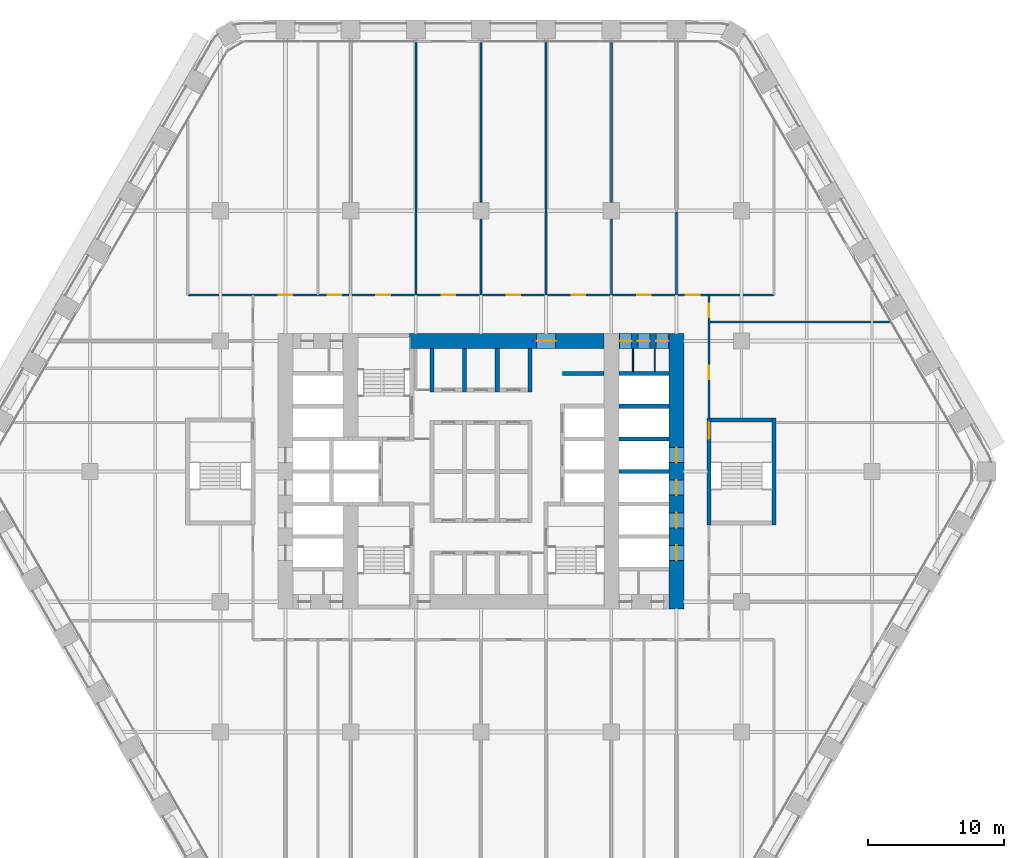
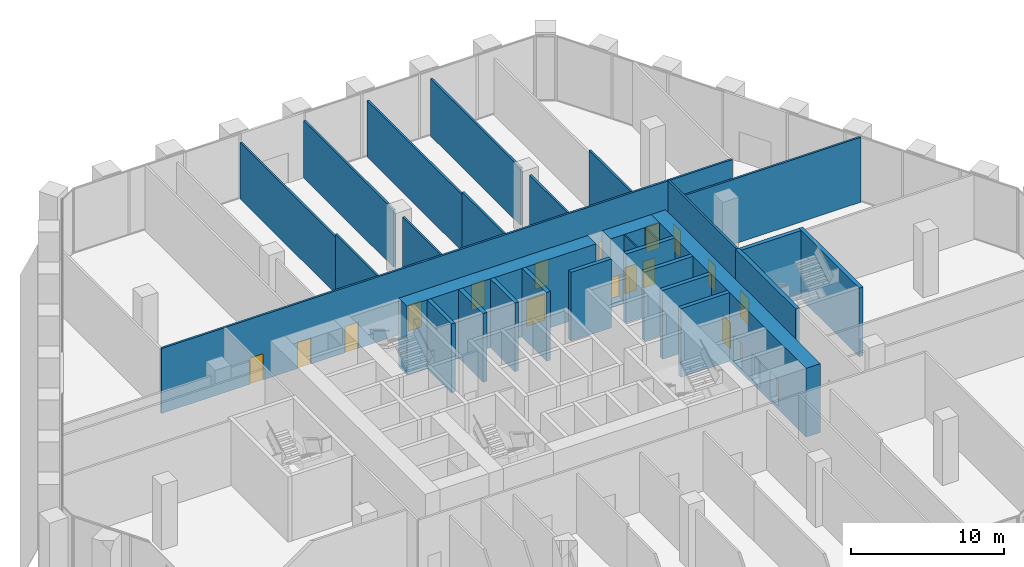
# One storey, part 21 of 27: 29 walls, 19 doors, 19 openings.
"""IFC4 building model written with IfcOpenShell, lengths in metres."""

from ifc_helpers import new_model, si_unit, direction, frame, frame_2d, origin, place, context, subcontext, project, spatial, rectangle, extrude, material, layer, layer_set, type_object, element, fill, save


model = new_model("IFC4")

# Units and contexts
model_context = context("Model", 3, precision=1e-05, world=origin(), true_north=direction((0.0, 1.0)))
body_context = subcontext(model_context, "Body", "Model", "MODEL_VIEW")
ifc_project = project(units=[si_unit("LENGTHUNIT", "METRE"), si_unit("AREAUNIT", "SQUARE_METRE"), si_unit("VOLUMEUNIT", "CUBIC_METRE"), si_unit("PLANEANGLEUNIT", "RADIAN"), si_unit("MASSUNIT", "GRAM", prefix="KILO")], contexts=[model_context])

# Site, building, storey
site_placement = place(None, origin())
site = spatial("IfcSite", under=ifc_project, at=site_placement, CompositionType="ELEMENT")
building_placement = place(site_placement, origin())
building = spatial("IfcBuilding", under=site, at=building_placement, Name="Kolab Exchange Tower", CompositionType="ELEMENT")
storey_placement = place(building_placement, frame((0.0, 0.0, 66.39990234375)))
storey = spatial("IfcBuildingStorey", under=building, at=storey_placement, Name="L12", CompositionType="ELEMENT", Elevation=66.39990234375)

# Wall, opening, door
ifc_material_1 = material(Name="Concrete C80/95", Category="concrete")
ifc_layer_1 = layer(ifc_material_1, 1.10009765625)
ifc_layer_set_1 = layer_set([ifc_layer_1], Name="Concrete C80/95")
wall_type_1 = type_object("IfcWallType", Name="CORE WALL 1100 C80/95", PredefinedType="SHEAR", material=ifc_layer_set_1)
wall_1_placement = place(storey_placement, frame((-5.25, 9.60009765625, -0.2998046875), z_axis=(0.0, 0.0, 1.0), x_axis=(1.0, 0.0, 0.0)))
wall_1 = element("IfcWall", 1, at=wall_1_placement, inside=storey, type_object=wall_type_1, Name="wall/L12/core/052", PredefinedType="SHEAR", context=body_context, shape_type="SweptSolid", body=[
    extrude(rectangle(XDim=14.300048828125, YDim=1.10009765625, at=frame_2d((7.14990234375, 0.0))), origin(), (0.0, 0.0, 1.0), 5.5),
])
opening_1_placement = place(wall_1_placement, frame((9.35009765625, 0.0, 0.300048828125)))
opening_1 = element("IfcOpeningElement", 2, at=opening_1_placement, cuts=wall_1, Name="Opening D5-006", PredefinedType="OPENING", context=body_context, shape_type="SweptSolid", body=[
    extrude(rectangle(XDim=1.39990234375, YDim=2.10009765625, at=frame_2d((0.699951171875, 1.050048828125))), frame((0.0, 0.56005859375, 0.0), z_axis=(0.0, -1.0, 0.0), x_axis=(1.0, 0.0, 0.0)), (0.0, 0.0, 1.0), 1.1201171875),
])
ifc_material_2 = material(Name="Steel S235", Category="steel")
door_type_1 = type_object("IfcDoorType", Name="CORE DOOR 1400 EI 120", OperationType="DOUBLE_DOOR_SINGLE_SWING", PredefinedType="DOOR", material=ifc_material_2)
door_1_placement = place(opening_1_placement, frame((1.39990234375, 0.0, 0.0), z_axis=(0.0, 0.0, 1.0), x_axis=(-1.0, 0.0, 0.0)))
door_1 = element("IfcDoor", 3, at=door_1_placement, inside=storey, type_object=door_type_1, Name="Core lobby door", OperationType="SINGLE_SWING_LEFT", OverallHeight=2.10009765625, OverallWidth=1.39990234375, PredefinedType="DOOR", context=body_context, shape_type="SweptSolid", body=[
    extrude(rectangle(XDim=1.39990234375, YDim=2.10009765625, at=frame_2d((0.699951171875, 1.050048828125))), frame((0.0, 0.02490234375, 0.0), z_axis=(0.0, -1.0, 0.0), x_axis=(1.0, 0.0, 0.0)), (0.0, 0.0, 1.0), 0.050048828125),
])
fill(opening_1, door_1)

# Wall, openings, doors
wall_2_placement = place(storey_placement, frame((10.14990234375, 9.60009765625, -0.2998046875), z_axis=(0.0, 0.0, 1.0), x_axis=(1.0, 0.0, 0.0)))
wall_2 = element("IfcWall", 4, at=wall_2_placement, inside=storey, type_object=wall_type_1, Name="wall/L12/core/053", PredefinedType="SHEAR", context=body_context, shape_type="SweptSolid", body=[
    extrude(rectangle(XDim=3.7001953125, YDim=1.10009765625, at=frame_2d((1.85009765625, 0.0))), origin(), (0.0, 0.0, 1.0), 5.5),
])
opening_2_placement = place(wall_2_placement, frame((0.050048828125, 0.0, 0.300048828125)))
opening_2 = element("IfcOpeningElement", 5, at=opening_2_placement, cuts=wall_2, Name="Opening D6-165", PredefinedType="OPENING", context=body_context, shape_type="SweptSolid", body=[
    extrude(rectangle(XDim=0.89990234375, YDim=2.10009765625, at=frame_2d((0.449951171875, 1.050048828125))), frame((0.0, 0.56005859375, 0.0), z_axis=(0.0, -1.0, 0.0), x_axis=(1.0, 0.0, 0.0)), (0.0, 0.0, 1.0), 1.1201171875),
])
opening_3_placement = place(wall_2_placement, frame((1.39990234375, 0.0, 0.300048828125)))
opening_3 = element("IfcOpeningElement", 6, at=opening_3_placement, cuts=wall_2, Name="Opening D6-166", PredefinedType="OPENING", context=body_context, shape_type="SweptSolid", body=[
    extrude(rectangle(XDim=0.89990234375, YDim=2.10009765625, at=frame_2d((0.449951171875, 1.050048828125))), frame((0.0, 0.56005859375, 0.0), z_axis=(0.0, -1.0, 0.0), x_axis=(1.0, 0.0, 0.0)), (0.0, 0.0, 1.0), 1.1201171875),
])
opening_4_placement = place(wall_2_placement, frame((2.75, 0.0, 0.300048828125)))
opening_4 = element("IfcOpeningElement", 7, at=opening_4_placement, cuts=wall_2, Name="Opening D6-167", PredefinedType="OPENING", context=body_context, shape_type="SweptSolid", body=[
    extrude(rectangle(XDim=0.89990234375, YDim=2.10009765625, at=frame_2d((0.449951171875, 1.050048828125))), frame((0.0, 0.56005859375, 0.0), z_axis=(0.0, -1.0, 0.0), x_axis=(1.0, 0.0, 0.0)), (0.0, 0.0, 1.0), 1.1201171875),
])
door_type_2 = type_object("IfcDoorType", Name="CORE DOOR 900 EI 120", OperationType="SINGLE_SWING_LEFT", PredefinedType="DOOR", material=ifc_material_2)
door_2_placement = place(opening_2_placement, frame((0.89990234375, 0.0, 0.0), z_axis=(0.0, 0.0, 1.0), x_axis=(-1.0, 0.0, 0.0)))
door_2 = element("IfcDoor", 8, at=door_2_placement, inside=storey, type_object=door_type_2, Name="Service room door", OperationType="SINGLE_SWING_RIGHT", OverallHeight=2.10009765625, OverallWidth=0.89990234375, PredefinedType="DOOR", context=body_context, shape_type="SweptSolid", body=[
    extrude(rectangle(XDim=0.89990234375, YDim=2.10009765625, at=frame_2d((0.449951171875, 1.050048828125))), frame((0.0, 0.02490234375, 0.0), z_axis=(0.0, -1.0, 0.0), x_axis=(1.0, 0.0, 0.0)), (0.0, 0.0, 1.0), 0.050048828125),
])
fill(opening_2, door_2)
door_3_placement = place(opening_3_placement, frame((0.89990234375, 0.0, 0.0), z_axis=(0.0, 0.0, 1.0), x_axis=(-1.0, 0.0, 0.0)))
door_3 = element("IfcDoor", 9, at=door_3_placement, inside=storey, type_object=door_type_2, Name="Service room door", OperationType="SINGLE_SWING_LEFT", OverallHeight=2.10009765625, OverallWidth=0.89990234375, PredefinedType="DOOR", context=body_context, shape_type="SweptSolid", body=[
    extrude(rectangle(XDim=0.89990234375, YDim=2.10009765625, at=frame_2d((0.449951171875, 1.050048828125))), frame((0.0, 0.02490234375, 0.0), z_axis=(0.0, -1.0, 0.0), x_axis=(1.0, 0.0, 0.0)), (0.0, 0.0, 1.0), 0.050048828125),
])
fill(opening_3, door_3)
door_4_placement = place(opening_4_placement, frame((0.89990234375, 0.0, 0.0), z_axis=(0.0, 0.0, 1.0), x_axis=(-1.0, 0.0, 0.0)))
door_4 = element("IfcDoor", 10, at=door_4_placement, inside=storey, type_object=door_type_2, Name="Service room door", OperationType="SINGLE_SWING_LEFT", OverallHeight=2.10009765625, OverallWidth=0.89990234375, PredefinedType="DOOR", context=body_context, shape_type="SweptSolid", body=[
    extrude(rectangle(XDim=0.89990234375, YDim=2.10009765625, at=frame_2d((0.449951171875, 1.050048828125))), frame((0.0, 0.02490234375, 0.0), z_axis=(0.0, -1.0, 0.0), x_axis=(1.0, 0.0, 0.0)), (0.0, 0.0, 1.0), 0.050048828125),
])
fill(opening_4, door_4)

wall_3_placement = place(storey_placement, frame((14.39990234375, -10.14990234375, -0.2998046875), z_axis=(0.0, 0.0, 1.0), x_axis=(0.0, 1.0, 0.0)))
wall_3 = element("IfcWall", 11, at=wall_3_placement, inside=storey, type_object=wall_type_1, Name="wall/L12/core/081", PredefinedType="SHEAR", context=body_context, shape_type="SweptSolid", body=[
    extrude(rectangle(XDim=20.2998046875, YDim=1.10009765625, at=frame_2d((10.14990234375, 0.0))), origin(), (0.0, 0.0, 1.0), 5.5),
])
opening_5_placement = place(wall_3_placement, frame((3.60009765625, 0.0, 0.300048828125)))
opening_5 = element("IfcOpeningElement", 12, at=opening_5_placement, cuts=wall_3, Name="Opening LD1-053", PredefinedType="OPENING", context=body_context, shape_type="SweptSolid", body=[
    extrude(rectangle(XDim=1.10009765625, YDim=2.10009765625, at=frame_2d((0.550048828125, 1.050048828125))), frame((0.0, 0.56005859375, 0.0), z_axis=(0.0, -1.0, 0.0), x_axis=(1.0, 0.0, 0.0)), (0.0, 0.0, 1.0), 1.1201171875),
])
opening_6_placement = place(wall_3_placement, frame((6.0, 0.0, 0.300048828125)))
opening_6 = element("IfcOpeningElement", 13, at=opening_6_placement, cuts=wall_3, Name="Opening LD1-054", PredefinedType="OPENING", context=body_context, shape_type="SweptSolid", body=[
    extrude(rectangle(XDim=1.10009765625, YDim=2.10009765625, at=frame_2d((0.550048828125, 1.050048828125))), frame((0.0, 0.56005859375, 0.0), z_axis=(0.0, -1.0, 0.0), x_axis=(1.0, 0.0, 0.0)), (0.0, 0.0, 1.0), 1.1201171875),
])
opening_7_placement = place(wall_3_placement, frame((8.39990234375, 0.0, 0.300048828125)))
opening_7 = element("IfcOpeningElement", 14, at=opening_7_placement, cuts=wall_3, Name="Opening LD1-055", PredefinedType="OPENING", context=body_context, shape_type="SweptSolid", body=[
    extrude(rectangle(XDim=1.10009765625, YDim=2.10009765625, at=frame_2d((0.550048828125, 1.050048828125))), frame((0.0, 0.56005859375, 0.0), z_axis=(0.0, -1.0, 0.0), x_axis=(1.0, 0.0, 0.0)), (0.0, 0.0, 1.0), 1.1201171875),
])
opening_8_placement = place(wall_3_placement, frame((10.800048828125, 0.0, 0.300048828125)))
opening_8 = element("IfcOpeningElement", 15, at=opening_8_placement, cuts=wall_3, Name="Opening LD1-056", PredefinedType="OPENING", context=body_context, shape_type="SweptSolid", body=[
    extrude(rectangle(XDim=1.10009765625, YDim=2.10009765625, at=frame_2d((0.550048828125, 1.050048828125))), frame((0.0, 0.56005859375, 0.0), z_axis=(0.0, -1.0, 0.0), x_axis=(1.0, 0.0, 0.0)), (0.0, 0.0, 1.0), 1.1201171875),
])
ifc_material_3 = material(Name="Stainless steel 316", Category="steel")
door_type_3 = type_object("IfcDoorType", Name="LANDING DOOR 1100 PASSENGER", OperationType="DOUBLE_DOOR_SLIDING", PredefinedType="DOOR", material=ifc_material_3)
door_5_placement = place(opening_5_placement, origin())
door_5 = element("IfcDoor", 16, at=door_5_placement, inside=storey, type_object=door_type_3, Name="Landing door LR1", OperationType="DOUBLE_DOOR_SLIDING", OverallHeight=2.10009765625, OverallWidth=1.10009765625, PredefinedType="DOOR", context=body_context, shape_type="SweptSolid", body=[
    extrude(rectangle(XDim=1.10009765625, YDim=2.10009765625, at=frame_2d((0.550048828125, 1.050048828125))), frame((0.0, 0.02490234375, 0.0), z_axis=(0.0, -1.0, 0.0), x_axis=(1.0, 0.0, 0.0)), (0.0, 0.0, 1.0), 0.050048828125),
])
fill(opening_5, door_5)
door_6_placement = place(opening_6_placement, origin())
door_6 = element("IfcDoor", 17, at=door_6_placement, inside=storey, type_object=door_type_3, Name="Landing door LR2", OperationType="DOUBLE_DOOR_SLIDING", OverallHeight=2.10009765625, OverallWidth=1.10009765625, PredefinedType="DOOR", context=body_context, shape_type="SweptSolid", body=[
    extrude(rectangle(XDim=1.10009765625, YDim=2.10009765625, at=frame_2d((0.550048828125, 1.050048828125))), frame((0.0, 0.02490234375, 0.0), z_axis=(0.0, -1.0, 0.0), x_axis=(1.0, 0.0, 0.0)), (0.0, 0.0, 1.0), 0.050048828125),
])
fill(opening_6, door_6)
door_7_placement = place(opening_7_placement, origin())
door_7 = element("IfcDoor", 18, at=door_7_placement, inside=storey, type_object=door_type_3, Name="Landing door LR3", OperationType="DOUBLE_DOOR_SLIDING", OverallHeight=2.10009765625, OverallWidth=1.10009765625, PredefinedType="DOOR", context=body_context, shape_type="SweptSolid", body=[
    extrude(rectangle(XDim=1.10009765625, YDim=2.10009765625, at=frame_2d((0.550048828125, 1.050048828125))), frame((0.0, 0.02490234375, 0.0), z_axis=(0.0, -1.0, 0.0), x_axis=(1.0, 0.0, 0.0)), (0.0, 0.0, 1.0), 0.050048828125),
])
fill(opening_7, door_7)
door_8_placement = place(opening_8_placement, origin())
door_8 = element("IfcDoor", 19, at=door_8_placement, inside=storey, type_object=door_type_3, Name="Landing door LR4", OperationType="DOUBLE_DOOR_SLIDING", OverallHeight=2.10009765625, OverallWidth=1.10009765625, PredefinedType="DOOR", context=body_context, shape_type="SweptSolid", body=[
    extrude(rectangle(XDim=1.10009765625, YDim=2.10009765625, at=frame_2d((0.550048828125, 1.050048828125))), frame((0.0, 0.02490234375, 0.0), z_axis=(0.0, -1.0, 0.0), x_axis=(1.0, 0.0, 0.0)), (0.0, 0.0, 1.0), 0.050048828125),
])
fill(opening_8, door_8)

# Walls
ifc_material_4 = material(Name="Concrete C50/60", Category="concrete")
ifc_layer_2 = layer(ifc_material_4, 0.300048828125)
ifc_layer_set_2 = layer_set([ifc_layer_2], Name="Concrete C50/60")
wall_type_2 = type_object("IfcWallType", Name="LIFT SHAFT WALL 300 C50/60", PredefinedType="STANDARD", material=ifc_layer_set_2)
for number, where, z_axis, x_axis, name in (
    (20, (10.14990234375, 0.0, -0.2998046875), (0.0, 0.0, 1.0), (1.0, 0.0, 0.0), "wall/L12/core/030"),
    (21, (10.14990234375, 2.39990234375, -0.2998046875), (0.0, 0.0, 1.0), (1.0, 0.0, 0.0), "wall/L12/core/036"),
    (22, (10.14990234375, 4.800048828125, -0.2998046875), (0.0, 0.0, 1.0), (1.0, 0.0, 0.0), "wall/L12/core/044"),
):
    element("IfcWall", number, at=place(storey_placement, frame(where, z_axis=z_axis, x_axis=x_axis)), inside=storey, type_object=wall_type_2, Name=name, PredefinedType="STANDARD", context=body_context, shape_type="SweptSolid", body=[
        extrude(rectangle(XDim=3.7001953125, YDim=0.300048828125, at=frame_2d((1.85009765625, 0.0))), origin(), (0.0, 0.0, 1.0), 5.5),
    ])
wall_4_placement = place(storey_placement, frame((6.0, 7.199951171875, -0.2998046875), z_axis=(0.0, 0.0, 1.0), x_axis=(1.0, 0.0, 0.0)))
element("IfcWall", 23, at=wall_4_placement, inside=storey, type_object=wall_type_2, Name="wall/L12/core/049", PredefinedType="STANDARD", context=body_context, shape_type="SweptSolid", body=[
    extrude(rectangle(XDim=3.050048828125, YDim=0.300048828125, at=frame_2d((1.52490234375, 0.0))), origin(), (0.0, 0.0, 1.0), 5.5),
])
wall_5_placement = place(storey_placement, frame((10.14990234375, 7.199951171875, -0.2998046875), z_axis=(0.0, 0.0, 1.0), x_axis=(1.0, 0.0, 0.0)))
element("IfcWall", 24, at=wall_5_placement, inside=storey, type_object=wall_type_2, Name="wall/L12/core/050", PredefinedType="STANDARD", context=body_context, shape_type="SweptSolid", body=[
    extrude(rectangle(XDim=3.7001953125, YDim=0.300048828125, at=frame_2d((1.85009765625, 0.0))), origin(), (0.0, 0.0, 1.0), 5.5),
])
for number, where, z_axis, x_axis, name in (
    (25, (-3.60009765625, 5.85009765625, -0.2998046875), (0.0, 0.0, 1.0), (0.0, 1.0, 0.0), "wall/L12/core/068"),
    (26, (-1.199951171875, 5.85009765625, -0.2998046875), (0.0, 0.0, 1.0), (0.0, 1.0, 0.0), "wall/L12/core/071"),
    (27, (1.199951171875, 5.85009765625, -0.2998046875), (0.0, 0.0, 1.0), (0.0, 1.0, 0.0), "wall/L12/core/074"),
    (28, (3.60009765625, 5.85009765625, -0.2998046875), (0.0, 0.0, 1.0), (0.0, 1.0, 0.0), "wall/L12/core/077"),
):
    element("IfcWall", number, at=place(storey_placement, frame(where, z_axis=z_axis, x_axis=x_axis)), inside=storey, type_object=wall_type_2, Name=name, PredefinedType="STANDARD", context=body_context, shape_type="SweptSolid", body=[
        extrude(rectangle(XDim=3.199951171875, YDim=0.300048828125, at=frame_2d((1.60009765625, 0.0))), origin(), (0.0, 0.0, 1.0), 5.5),
    ])
ifc_material_5 = material(Name="Gypsum board", Category="gypsum")
ifc_layer_3 = layer(ifc_material_5, 0.10009765625)
ifc_layer_set_3 = layer_set([ifc_layer_3], Name="Gypsum board")
wall_type_3 = type_object("IfcWallType", Name="PARTITION 100", PredefinedType="PARTITIONING", material=ifc_layer_set_3)
for number, where, z_axis, x_axis, name in (
    (29, (12.800048828125, 7.35009765625, 0.0), (0.0, 0.0, 1.0), (0.0, 1.0, 0.0), "Partition 006"),
    (30, (11.199951171875, 7.35009765625, 0.0), (0.0, 0.0, 1.0), (0.0, 1.0, 0.0), "Partition 009"),
):
    element("IfcWall", number, at=place(storey_placement, frame(where, z_axis=z_axis, x_axis=x_axis)), inside=storey, type_object=wall_type_3, Name=name, PredefinedType="PARTITIONING", context=body_context, shape_type="SweptSolid", body=[
        extrude(rectangle(XDim=1.699951171875, YDim=0.10009765625, at=frame_2d((0.85009765625, 0.0))), origin(), (0.0, 0.0, 1.0), 5.2001953125),
    ])

# Wall, openings, doors
ifc_layer_4 = layer(ifc_material_5, 0.14990234375)
ifc_layer_set_4 = layer_set([ifc_layer_4], Name="Gypsum board")
wall_type_4 = type_object("IfcWallType", Name="PARTITION 150 FIRE-RATED", PredefinedType="PARTITIONING", material=ifc_layer_set_4)
wall_6_placement = place(storey_placement, frame((16.800048828125, 3.949951171875, 0.0), z_axis=(0.0, 0.0, 1.0), x_axis=(0.0, 1.0, 0.0)))
wall_6 = element("IfcWall", 31, at=wall_6_placement, inside=storey, type_object=wall_type_4, Name="Partition 003", PredefinedType="PARTITIONING", context=body_context, shape_type="SweptSolid", body=[
    extrude(rectangle(XDim=9.050048828125, YDim=0.14990234375, at=frame_2d((4.52490234375, 0.0))), origin(), (0.0, 0.0, 1.0), 5.2001953125),
])
opening_9_placement = place(wall_6_placement, frame((2.8349609375, 0.0, 0.0)))
opening_9 = element("IfcOpeningElement", 32, at=opening_9_placement, cuts=wall_6, Name="Opening D1-165", PredefinedType="OPENING", context=body_context, shape_type="SweptSolid", body=[
    extrude(rectangle(XDim=1.0, YDim=2.10009765625, at=frame_2d((0.5, 1.050048828125))), frame((0.0, 0.0849609375, 0.0), z_axis=(0.0, -1.0, 0.0), x_axis=(1.0, 0.0, 0.0)), (0.0, 0.0, 1.0), 0.169921875),
])
opening_10_placement = place(wall_6_placement, frame((7.409912109375, 0.0, 0.0)))
opening_10 = element("IfcOpeningElement", 33, at=opening_10_placement, cuts=wall_6, Name="Opening D1-166", PredefinedType="OPENING", context=body_context, shape_type="SweptSolid", body=[
    extrude(rectangle(XDim=1.0, YDim=2.10009765625, at=frame_2d((0.5, 1.050048828125))), frame((0.0, 0.0849609375, 0.0), z_axis=(0.0, -1.0, 0.0), x_axis=(1.0, 0.0, 0.0)), (0.0, 0.0, 1.0), 0.169921875),
])
door_type_4 = type_object("IfcDoorType", Name="FLUSH DOOR 1000 FD60", OperationType="SINGLE_SWING_LEFT", PredefinedType="DOOR", material=ifc_material_2)
door_9_placement = place(opening_9_placement, frame((1.0, 0.0, 0.0), z_axis=(0.0, 0.0, 1.0), x_axis=(-1.0, 0.0, 0.0)))
door_9 = element("IfcDoor", 34, at=door_9_placement, inside=storey, type_object=door_type_4, Name="Door L12-071", OperationType="SINGLE_SWING_LEFT", OverallHeight=2.10009765625, OverallWidth=1.0, PredefinedType="DOOR", context=body_context, shape_type="SweptSolid", body=[
    extrude(rectangle(XDim=1.0, YDim=2.10009765625, at=frame_2d((0.5, 1.050048828125))), frame((0.0, 0.02490234375, 0.0), z_axis=(0.0, -1.0, 0.0), x_axis=(1.0, 0.0, 0.0)), (0.0, 0.0, 1.0), 0.050048828125),
])
fill(opening_9, door_9)
door_10_placement = place(opening_10_placement, frame((1.0, 0.0, 0.0), z_axis=(0.0, 0.0, 1.0), x_axis=(-1.0, 0.0, 0.0)))
door_10 = element("IfcDoor", 35, at=door_10_placement, inside=storey, type_object=door_type_4, Name="Door L12-072", OperationType="SINGLE_SWING_LEFT", OverallHeight=2.10009765625, OverallWidth=1.0, PredefinedType="DOOR", context=body_context, shape_type="SweptSolid", body=[
    extrude(rectangle(XDim=1.0, YDim=2.10009765625, at=frame_2d((0.5, 1.050048828125))), frame((0.0, 0.02490234375, 0.0), z_axis=(0.0, -1.0, 0.0), x_axis=(1.0, 0.0, 0.0)), (0.0, 0.0, 1.0), 0.050048828125),
])
fill(opening_10, door_10)

# Walls
wall_7_placement = place(storey_placement, frame((14.39990234375, 13.0, 0.0), z_axis=(0.0, 0.0, 1.0), x_axis=(0.0, 1.0, 0.0)))
element("IfcWall", 36, at=wall_7_placement, inside=storey, type_object=wall_type_4, Name="Partition 005", PredefinedType="PARTITIONING", context=body_context, shape_type="SweptSolid", body=[
    extrude(rectangle(XDim=6.113037109375, YDim=0.14990234375, at=frame_2d((3.056640625, 0.0))), origin(), (0.0, 0.0, 1.0), 4.7431640625),
])
wall_8_placement = place(storey_placement, frame((9.60009765625, 13.0, 0.0), z_axis=(0.0, 0.0, 1.0), x_axis=(0.0, 1.0, 0.0)))
element("IfcWall", 37, at=wall_8_placement, inside=storey, type_object=wall_type_4, Name="Partition 012", PredefinedType="PARTITIONING", context=body_context, shape_type="SweptSolid", body=[
    extrude(rectangle(XDim=5.60009765625, YDim=0.14990234375, at=frame_2d((2.800048828125, 0.0))), origin(), (0.0, 0.0, 1.0), 4.7431640625),
])
wall_9_placement = place(storey_placement, frame((9.60009765625, 19.800048828125, 0.0), z_axis=(0.0, 0.0, 1.0), x_axis=(0.0, 1.0, 0.0)))
element("IfcWall", 38, at=wall_9_placement, inside=storey, type_object=wall_type_4, Name="Partition 013", PredefinedType="PARTITIONING", context=body_context, shape_type="SweptSolid", body=[
    extrude(rectangle(XDim=11.785400390625, YDim=0.14990234375, at=frame_2d((5.892578125, 0.0))), origin(), (0.0, 0.0, 1.0), 4.592041015625),
])
wall_10_placement = place(storey_placement, frame((4.800048828125, 19.113037109375, 0.0), z_axis=(0.0, 0.0, 1.0), x_axis=(0.0, 1.0, 0.0)))
element("IfcWall", 39, at=wall_10_placement, inside=storey, type_object=wall_type_4, Name="Partition 015", PredefinedType="PARTITIONING", context=body_context, shape_type="SweptSolid", body=[
    extrude(rectangle(XDim=12.472412109375, YDim=0.14990234375, at=frame_2d((6.236328125, 0.0))), origin(), (0.0, 0.0, 1.0), 4.51611328125),
])
wall_11_placement = place(storey_placement, frame((4.800048828125, 13.0, 0.0), z_axis=(0.0, 0.0, 1.0), x_axis=(0.0, 1.0, 0.0)))
element("IfcWall", 40, at=wall_11_placement, inside=storey, type_object=wall_type_4, Name="Partition 015", PredefinedType="PARTITIONING", context=body_context, shape_type="SweptSolid", body=[
    extrude(rectangle(XDim=6.113037109375, YDim=0.14990234375, at=frame_2d((3.056640625, 0.0))), origin(), (0.0, 0.0, 1.0), 4.7431640625),
])
wall_12_placement = place(storey_placement, frame((0.0, 13.0, 0.0), z_axis=(0.0, 0.0, 1.0), x_axis=(0.0, 1.0, 0.0)))
element("IfcWall", 41, at=wall_12_placement, inside=storey, type_object=wall_type_4, Name="Partition 018", PredefinedType="PARTITIONING", context=body_context, shape_type="SweptSolid", body=[
    extrude(rectangle(XDim=5.60009765625, YDim=0.14990234375, at=frame_2d((2.800048828125, 0.0))), origin(), (0.0, 0.0, 1.0), 4.7431640625),
])
wall_13_placement = place(storey_placement, frame((0.0, 19.800048828125, 0.0), z_axis=(0.0, 0.0, 1.0), x_axis=(0.0, 1.0, 0.0)))
element("IfcWall", 42, at=wall_13_placement, inside=storey, type_object=wall_type_4, Name="Partition 019", PredefinedType="PARTITIONING", context=body_context, shape_type="SweptSolid", body=[
    extrude(rectangle(XDim=11.79541015625, YDim=0.14990234375, at=frame_2d((5.897705078125, 0.0))), origin(), (0.0, 0.0, 1.0), 4.592041015625),
])
wall_14_placement = place(storey_placement, frame((-4.800048828125, 19.113037109375, 0.0), z_axis=(0.0, 0.0, 1.0), x_axis=(0.0, 1.0, 0.0)))
element("IfcWall", 43, at=wall_14_placement, inside=storey, type_object=wall_type_4, Name="Partition 022", PredefinedType="PARTITIONING", context=body_context, shape_type="SweptSolid", body=[
    extrude(rectangle(XDim=12.482421875, YDim=0.14990234375, at=frame_2d((6.2412109375, 0.0))), origin(), (0.0, 0.0, 1.0), 4.51611328125),
])
wall_15_placement = place(storey_placement, frame((-4.800048828125, 13.0, 0.0), z_axis=(0.0, 0.0, 1.0), x_axis=(0.0, 1.0, 0.0)))
element("IfcWall", 44, at=wall_15_placement, inside=storey, type_object=wall_type_4, Name="Partition 022", PredefinedType="PARTITIONING", context=body_context, shape_type="SweptSolid", body=[
    extrude(rectangle(XDim=6.113037109375, YDim=0.14990234375, at=frame_2d((3.056640625, 0.0))), origin(), (0.0, 0.0, 1.0), 4.7431640625),
])
wall_16_placement = place(storey_placement, frame((16.800048828125, 11.0, 0.0), z_axis=(0.0, 0.0, 1.0), x_axis=(1.0, 0.0, 0.0)))
element("IfcWall", 45, at=wall_16_placement, inside=storey, type_object=wall_type_4, Name="Partition 047", PredefinedType="PARTITIONING", context=body_context, shape_type="SweptSolid", body=[
    extrude(rectangle(XDim=13.37841796875, YDim=0.14990234375, at=frame_2d((6.689208984375, 0.0))), origin(), (0.0, 0.0, 1.0), 5.2001953125),
])

# Wall, openings, doors
wall_17_placement = place(storey_placement, frame((-21.60009765625, 13.0, 0.0), z_axis=(0.0, 0.0, 1.0), x_axis=(1.0, 0.0, 0.0)))
wall_17 = element("IfcWall", 46, at=wall_17_placement, inside=storey, type_object=wall_type_4, Name="Partition 048", PredefinedType="PARTITIONING", context=body_context, shape_type="SweptSolid", body=[
    extrude(rectangle(XDim=43.2001953125, YDim=0.14990234375, at=frame_2d((21.60009765625, 0.0))), origin(), (0.0, 0.0, 1.0), 5.2001953125),
])
opening_11_placement = place(wall_17_placement, frame((6.699951171875, 0.0, 0.0)))
opening_11 = element("IfcOpeningElement", 47, at=opening_11_placement, cuts=wall_17, Name="Opening D1-144", PredefinedType="OPENING", context=body_context, shape_type="SweptSolid", body=[
    extrude(rectangle(XDim=1.0, YDim=2.10009765625, at=frame_2d((0.5, 1.050048828125))), frame((0.0, 0.0849609375, 0.0), z_axis=(0.0, -1.0, 0.0), x_axis=(1.0, 0.0, 0.0)), (0.0, 0.0, 1.0), 0.169921875),
])
opening_12_placement = place(wall_17_placement, frame((10.300048828125, 0.0, 0.0)))
opening_12 = element("IfcOpeningElement", 48, at=opening_12_placement, cuts=wall_17, Name="Opening D1-145", PredefinedType="OPENING", context=body_context, shape_type="SweptSolid", body=[
    extrude(rectangle(XDim=1.0, YDim=2.10009765625, at=frame_2d((0.5, 1.050048828125))), frame((0.0, 0.0849609375, 0.0), z_axis=(0.0, -1.0, 0.0), x_axis=(1.0, 0.0, 0.0)), (0.0, 0.0, 1.0), 0.169921875),
])
opening_13_placement = place(wall_17_placement, frame((13.89990234375, 0.0, 0.0)))
opening_13 = element("IfcOpeningElement", 49, at=opening_13_placement, cuts=wall_17, Name="Opening D1-146", PredefinedType="OPENING", context=body_context, shape_type="SweptSolid", body=[
    extrude(rectangle(XDim=1.0, YDim=2.10009765625, at=frame_2d((0.5, 1.050048828125))), frame((0.0, 0.0849609375, 0.0), z_axis=(0.0, -1.0, 0.0), x_axis=(1.0, 0.0, 0.0)), (0.0, 0.0, 1.0), 0.169921875),
])
opening_14_placement = place(wall_17_placement, frame((18.699951171875, 0.0, 0.0)))
opening_14 = element("IfcOpeningElement", 50, at=opening_14_placement, cuts=wall_17, Name="Opening D1-147", PredefinedType="OPENING", context=body_context, shape_type="SweptSolid", body=[
    extrude(rectangle(XDim=1.0, YDim=2.10009765625, at=frame_2d((0.5, 1.050048828125))), frame((0.0, 0.0849609375, 0.0), z_axis=(0.0, -1.0, 0.0), x_axis=(1.0, 0.0, 0.0)), (0.0, 0.0, 1.0), 0.169921875),
])
opening_15_placement = place(wall_17_placement, frame((23.5, 0.0, 0.0)))
opening_15 = element("IfcOpeningElement", 51, at=opening_15_placement, cuts=wall_17, Name="Opening D1-148", PredefinedType="OPENING", context=body_context, shape_type="SweptSolid", body=[
    extrude(rectangle(XDim=1.0, YDim=2.10009765625, at=frame_2d((0.5, 1.050048828125))), frame((0.0, 0.0849609375, 0.0), z_axis=(0.0, -1.0, 0.0), x_axis=(1.0, 0.0, 0.0)), (0.0, 0.0, 1.0), 0.169921875),
])
opening_16_placement = place(wall_17_placement, frame((28.300048828125, 0.0, 0.0)))
opening_16 = element("IfcOpeningElement", 52, at=opening_16_placement, cuts=wall_17, Name="Opening D1-149", PredefinedType="OPENING", context=body_context, shape_type="SweptSolid", body=[
    extrude(rectangle(XDim=1.0, YDim=2.10009765625, at=frame_2d((0.5, 1.050048828125))), frame((0.0, 0.0849609375, 0.0), z_axis=(0.0, -1.0, 0.0), x_axis=(1.0, 0.0, 0.0)), (0.0, 0.0, 1.0), 0.169921875),
])
opening_17_placement = place(wall_17_placement, frame((33.10009765625, 0.0, 0.0)))
opening_17 = element("IfcOpeningElement", 53, at=opening_17_placement, cuts=wall_17, Name="Opening D1-150", PredefinedType="OPENING", context=body_context, shape_type="SweptSolid", body=[
    extrude(rectangle(XDim=1.0, YDim=2.10009765625, at=frame_2d((0.5, 1.050048828125))), frame((0.0, 0.0849609375, 0.0), z_axis=(0.0, -1.0, 0.0), x_axis=(1.0, 0.0, 0.0)), (0.0, 0.0, 1.0), 0.169921875),
])
opening_18_placement = place(wall_17_placement, frame((36.699951171875, 0.0, 0.0)))
opening_18 = element("IfcOpeningElement", 54, at=opening_18_placement, cuts=wall_17, Name="Opening D1-151", PredefinedType="OPENING", context=body_context, shape_type="SweptSolid", body=[
    extrude(rectangle(XDim=1.0, YDim=2.10009765625, at=frame_2d((0.5, 1.050048828125))), frame((0.0, 0.0849609375, 0.0), z_axis=(0.0, -1.0, 0.0), x_axis=(1.0, 0.0, 0.0)), (0.0, 0.0, 1.0), 0.169921875),
])
door_11_placement = place(opening_11_placement, origin())
door_11 = element("IfcDoor", 55, at=door_11_placement, inside=storey, type_object=door_type_4, Name="Door L12-050", OperationType="SINGLE_SWING_RIGHT", OverallHeight=2.10009765625, OverallWidth=1.0, PredefinedType="DOOR", context=body_context, shape_type="SweptSolid", body=[
    extrude(rectangle(XDim=1.0, YDim=2.10009765625, at=frame_2d((0.5, 1.050048828125))), frame((0.0, 0.02490234375, 0.0), z_axis=(0.0, -1.0, 0.0), x_axis=(1.0, 0.0, 0.0)), (0.0, 0.0, 1.0), 0.050048828125),
])
fill(opening_11, door_11)
door_12_placement = place(opening_12_placement, origin())
door_12 = element("IfcDoor", 56, at=door_12_placement, inside=storey, type_object=door_type_4, Name="Door L12-051", OperationType="SINGLE_SWING_LEFT", OverallHeight=2.10009765625, OverallWidth=1.0, PredefinedType="DOOR", context=body_context, shape_type="SweptSolid", body=[
    extrude(rectangle(XDim=1.0, YDim=2.10009765625, at=frame_2d((0.5, 1.050048828125))), frame((0.0, 0.02490234375, 0.0), z_axis=(0.0, -1.0, 0.0), x_axis=(1.0, 0.0, 0.0)), (0.0, 0.0, 1.0), 0.050048828125),
])
fill(opening_12, door_12)
door_13_placement = place(opening_13_placement, origin())
door_13 = element("IfcDoor", 57, at=door_13_placement, inside=storey, type_object=door_type_4, Name="Door L12-052", OperationType="SINGLE_SWING_LEFT", OverallHeight=2.10009765625, OverallWidth=1.0, PredefinedType="DOOR", context=body_context, shape_type="SweptSolid", body=[
    extrude(rectangle(XDim=1.0, YDim=2.10009765625, at=frame_2d((0.5, 1.050048828125))), frame((0.0, 0.02490234375, 0.0), z_axis=(0.0, -1.0, 0.0), x_axis=(1.0, 0.0, 0.0)), (0.0, 0.0, 1.0), 0.050048828125),
])
fill(opening_13, door_13)
door_14_placement = place(opening_14_placement, origin())
door_14 = element("IfcDoor", 58, at=door_14_placement, inside=storey, type_object=door_type_4, Name="Door L12-053", OperationType="SINGLE_SWING_LEFT", OverallHeight=2.10009765625, OverallWidth=1.0, PredefinedType="DOOR", context=body_context, shape_type="SweptSolid", body=[
    extrude(rectangle(XDim=1.0, YDim=2.10009765625, at=frame_2d((0.5, 1.050048828125))), frame((0.0, 0.02490234375, 0.0), z_axis=(0.0, -1.0, 0.0), x_axis=(1.0, 0.0, 0.0)), (0.0, 0.0, 1.0), 0.050048828125),
])
fill(opening_14, door_14)
door_15_placement = place(opening_15_placement, origin())
door_15 = element("IfcDoor", 59, at=door_15_placement, inside=storey, type_object=door_type_4, Name="Door L12-054", OperationType="SINGLE_SWING_LEFT", OverallHeight=2.10009765625, OverallWidth=1.0, PredefinedType="DOOR", context=body_context, shape_type="SweptSolid", body=[
    extrude(rectangle(XDim=1.0, YDim=2.10009765625, at=frame_2d((0.5, 1.050048828125))), frame((0.0, 0.02490234375, 0.0), z_axis=(0.0, -1.0, 0.0), x_axis=(1.0, 0.0, 0.0)), (0.0, 0.0, 1.0), 0.050048828125),
])
fill(opening_15, door_15)
door_16_placement = place(opening_16_placement, origin())
door_16 = element("IfcDoor", 60, at=door_16_placement, inside=storey, type_object=door_type_4, Name="Door L12-055", OperationType="SINGLE_SWING_LEFT", OverallHeight=2.10009765625, OverallWidth=1.0, PredefinedType="DOOR", context=body_context, shape_type="SweptSolid", body=[
    extrude(rectangle(XDim=1.0, YDim=2.10009765625, at=frame_2d((0.5, 1.050048828125))), frame((0.0, 0.02490234375, 0.0), z_axis=(0.0, -1.0, 0.0), x_axis=(1.0, 0.0, 0.0)), (0.0, 0.0, 1.0), 0.050048828125),
])
fill(opening_16, door_16)
door_17_placement = place(opening_17_placement, origin())
door_17 = element("IfcDoor", 61, at=door_17_placement, inside=storey, type_object=door_type_4, Name="Door L12-056", OperationType="SINGLE_SWING_LEFT", OverallHeight=2.10009765625, OverallWidth=1.0, PredefinedType="DOOR", context=body_context, shape_type="SweptSolid", body=[
    extrude(rectangle(XDim=1.0, YDim=2.10009765625, at=frame_2d((0.5, 1.050048828125))), frame((0.0, 0.02490234375, 0.0), z_axis=(0.0, -1.0, 0.0), x_axis=(1.0, 0.0, 0.0)), (0.0, 0.0, 1.0), 0.050048828125),
])
fill(opening_17, door_17)
door_18_placement = place(opening_18_placement, origin())
door_18 = element("IfcDoor", 62, at=door_18_placement, inside=storey, type_object=door_type_4, Name="Door L12-057", OperationType="SINGLE_SWING_LEFT", OverallHeight=2.10009765625, OverallWidth=1.0, PredefinedType="DOOR", context=body_context, shape_type="SweptSolid", body=[
    extrude(rectangle(XDim=1.0, YDim=2.10009765625, at=frame_2d((0.5, 1.050048828125))), frame((0.0, 0.02490234375, 0.0), z_axis=(0.0, -1.0, 0.0), x_axis=(1.0, 0.0, 0.0)), (0.0, 0.0, 1.0), 0.050048828125),
])
fill(opening_18, door_18)

# Wall
ifc_layer_5 = layer(ifc_material_4, 0.300048828125)
ifc_layer_set_5 = layer_set([ifc_layer_5], Name="Concrete C50/60")
wall_type_5 = type_object("IfcWallType", Name="STAIR ENCLOSURE WALL 300 C50/60", PredefinedType="STANDARD", material=ifc_layer_set_5)
wall_18_placement = place(storey_placement, frame((16.949951171875, 3.800048828125, -0.2998046875), z_axis=(0.0, 0.0, 1.0), x_axis=(1.0, 0.0, 0.0)))
element("IfcWall", 63, at=wall_18_placement, inside=storey, type_object=wall_type_5, Name="wall/L12/core/041", PredefinedType="STANDARD", context=body_context, shape_type="SweptSolid", body=[
    extrude(rectangle(XDim=4.5, YDim=0.300048828125, at=frame_2d((2.25, 0.0))), origin(), (0.0, 0.0, 1.0), 5.5),
])

# Wall, opening, door
wall_19_placement = place(storey_placement, frame((16.800048828125, -3.949951171875, -0.2998046875), z_axis=(0.0, 0.0, 1.0), x_axis=(0.0, 1.0, 0.0)))
wall_19 = element("IfcWall", 64, at=wall_19_placement, inside=storey, type_object=wall_type_5, Name="wall/L12/core/082", PredefinedType="STANDARD", context=body_context, shape_type="SweptSolid", body=[
    extrude(rectangle(XDim=7.89990234375, YDim=0.300048828125, at=frame_2d((3.949951171875, 0.0))), origin(), (0.0, 0.0, 1.0), 5.5),
])
opening_19_placement = place(wall_19_placement, frame((6.35009765625, 0.0, 0.300048828125)))
opening_19 = element("IfcOpeningElement", 65, at=opening_19_placement, cuts=wall_19, Name="Opening D4-035", PredefinedType="OPENING", context=body_context, shape_type="SweptSolid", body=[
    extrude(rectangle(XDim=1.199951171875, YDim=2.10009765625, at=frame_2d((0.60009765625, 1.050048828125))), frame((0.0, 0.16015625, 0.0), z_axis=(0.0, -1.0, 0.0), x_axis=(1.0, 0.0, 0.0)), (0.0, 0.0, 1.0), 0.320068359375),
])
door_type_5 = type_object("IfcDoorType", Name="STAIR DOOR 1200 EI 120", OperationType="SINGLE_SWING_LEFT", PredefinedType="DOOR", material=ifc_material_2)
door_19_placement = place(opening_19_placement, frame((1.199951171875, 0.0, 0.0), z_axis=(0.0, 0.0, 1.0), x_axis=(-1.0, 0.0, 0.0)))
door_19 = element("IfcDoor", 66, at=door_19_placement, inside=storey, type_object=door_type_5, Name="Stair 4 door", OperationType="SINGLE_SWING_RIGHT", OverallHeight=2.10009765625, OverallWidth=1.199951171875, PredefinedType="DOOR", context=body_context, shape_type="SweptSolid", body=[
    extrude(rectangle(XDim=1.199951171875, YDim=2.10009765625, at=frame_2d((0.60009765625, 1.050048828125))), frame((0.0, 0.02490234375, 0.0), z_axis=(0.0, -1.0, 0.0), x_axis=(1.0, 0.0, 0.0)), (0.0, 0.0, 1.0), 0.050048828125),
])
fill(opening_19, door_19)

# Wall
wall_20_placement = place(storey_placement, frame((21.60009765625, -3.949951171875, -0.2998046875), z_axis=(0.0, 0.0, 1.0), x_axis=(0.0, 1.0, 0.0)))
element("IfcWall", 67, at=wall_20_placement, inside=storey, type_object=wall_type_5, Name="wall/L12/core/083", PredefinedType="STANDARD", context=body_context, shape_type="SweptSolid", body=[
    extrude(rectangle(XDim=7.89990234375, YDim=0.300048828125, at=frame_2d((3.949951171875, 0.0))), origin(), (0.0, 0.0, 1.0), 5.5),
])

save(model, "model.ifc")
